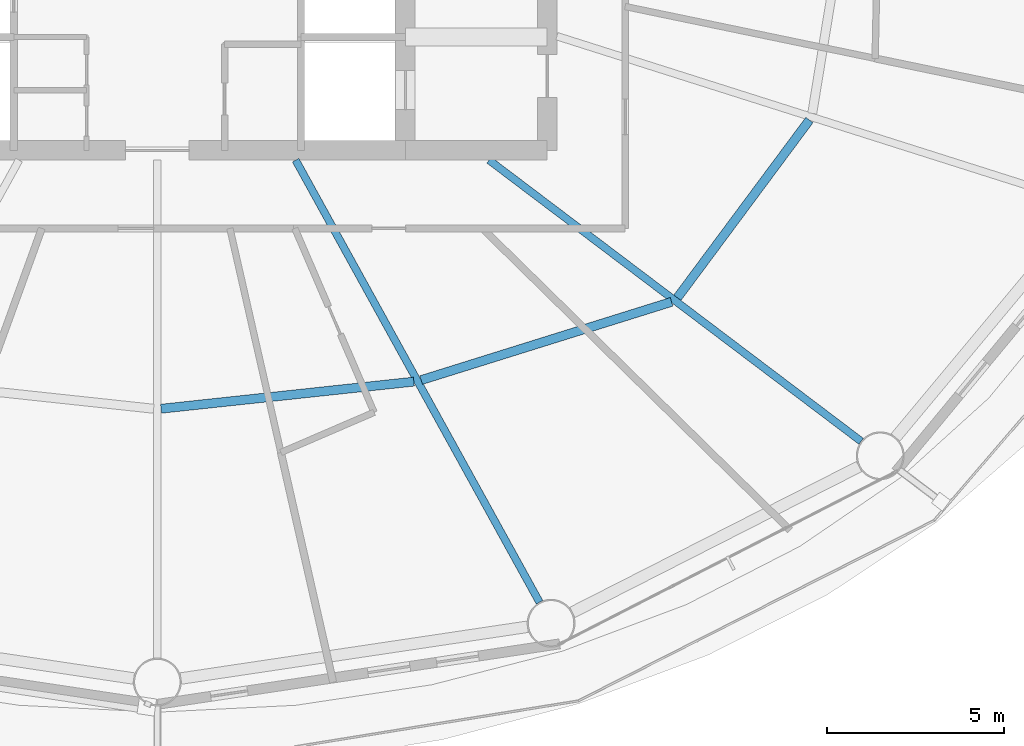
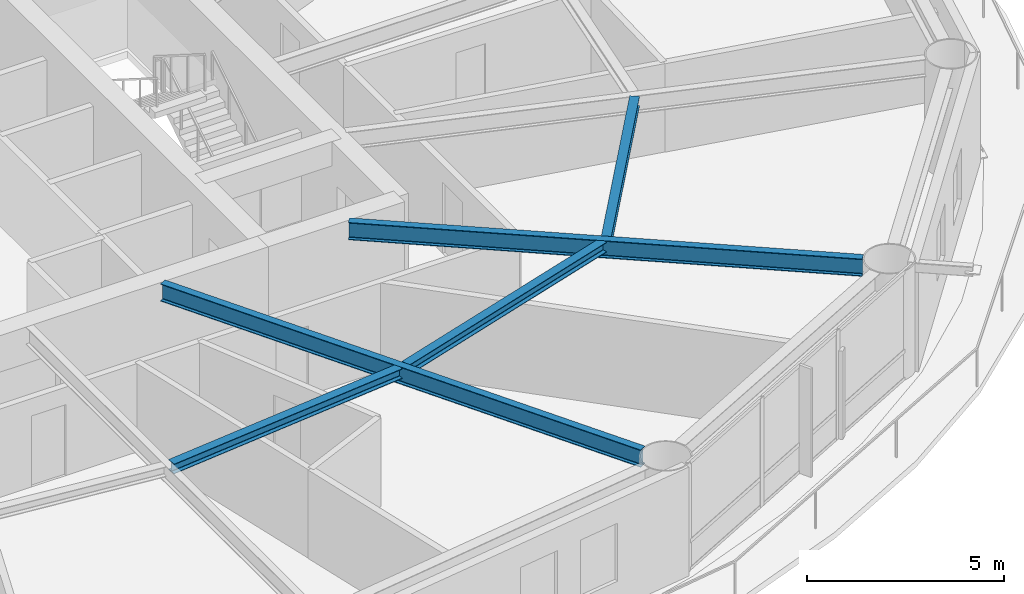
# One storey, part 5 of 24: 5 beams.
"""IFC4 building model written with IfcOpenShell, lengths in metres."""

import ifcopenshell
import ifcopenshell.guid

model = None  # the IFC model being written
_history = None  # IfcOwnerHistory: only IFC2X3 demands one
_inside = {}  # id of a spatial element -> (the spatial element, [elements in it])
_under = {}  # id of a project, library or spatial element -> (it, [spatial elements below it])
_declared = {}  # id of a project -> (the project, [libraries it declares])
_typed = {}  # id of a type object -> (the type object, [elements of that type])
_made_of = {}  # id of a material, layer set ... -> (it, [elements and type objects made of it])


def new_model(schema):
    """Start an empty IFC model of exactly this schema.

    Asked for "IFC4X3", IfcOpenShell would pick the latest addendum, in which some entities
    have other attributes; the version numbers below select the first issue.
    IFC2X3 requires an IfcOwnerHistory on every rooted entity: one is made here for all.
    """
    global model, _history
    if schema == "IFC4X3":
        model = ifcopenshell.file(schema_version=(4, 3, 0, 0))
    else:
        model = ifcopenshell.file(schema=schema)
    _inside.clear()
    _under.clear()
    _declared.clear()
    _typed.clear()
    _made_of.clear()
    _history = None
    if model.schema == "IFC2X3":
        org = make("IfcOrganization", Name="unknown")
        user = make(
            "IfcPersonAndOrganization",
            ThePerson=make("IfcPerson", FamilyName="unknown"),
            TheOrganization=org,
        )
        app = make(
            "IfcApplication",
            ApplicationDeveloper=org,
            Version="unknown",
            ApplicationFullName="unknown",
            ApplicationIdentifier="unknown",
        )
        _history = make(
            "IfcOwnerHistory",
            OwningUser=user,
            OwningApplication=app,
            ChangeAction="ADDED",
            CreationDate=0,
        )
    return model


def make(cls, **values):
    """One entity of the class cls with the attributes given. An attribute that is None is left unset."""
    return model.create_entity(
        cls, **{name: value for name, value in values.items() if value is not None}
    )


def rooted(cls, **values):
    """An entity with a GlobalId (a new one), such as an element, a storey or a relation."""
    return make(cls, GlobalId=ifcopenshell.guid.new(), OwnerHistory=_history, **values)


def si_unit(unit_type, name, prefix=None):
    """IfcSIUnit, for example si_unit("LENGTHUNIT", "METRE", prefix="MILLI")."""
    return make("IfcSIUnit", UnitType=unit_type, Prefix=prefix, Name=name)


def assignment(units):
    """IfcUnitAssignment: the units of a project."""
    return None if units is None else make("IfcUnitAssignment", Units=units)


def point(xyz):
    """IfcCartesianPoint."""
    return None if xyz is None else make("IfcCartesianPoint", Coordinates=xyz)


def direction(xyz):
    """IfcDirection."""
    return None if xyz is None else make("IfcDirection", DirectionRatios=xyz)


def frame(location, z_axis=None, x_axis=None):
    """IfcAxis2Placement3D, a coordinate frame: its origin and axes. An axis left out is left unset."""
    return make(
        "IfcAxis2Placement3D",
        Location=point(location),
        Axis=direction(z_axis),
        RefDirection=direction(x_axis),
    )


def frame_2d(location, x_axis=None):
    """IfcAxis2Placement2D, a coordinate frame in the plane: its origin and x axis."""
    return make(
        "IfcAxis2Placement2D", Location=point(location), RefDirection=direction(x_axis)
    )


def origin():
    """The frame at (0, 0, 0) with its axes left unset."""
    return frame((0.0, 0.0, 0.0))


def origin_2d():
    """The frame at (0, 0) in the plane with its x axis left unset."""
    return frame_2d((0.0, 0.0))


def place(relative_to, where):
    """IfcLocalPlacement: puts the frame where relative to a parent placement (None: the world)."""
    return make(
        "IfcLocalPlacement", PlacementRelTo=relative_to, RelativePlacement=where
    )


def context(
    kind, dimensions, precision=None, world=None, true_north=None, identifier=None
):
    """IfcGeometricRepresentationContext, for example the 3D "Model" context."""
    return make(
        "IfcGeometricRepresentationContext",
        ContextIdentifier=identifier,
        ContextType=kind,
        CoordinateSpaceDimension=dimensions,
        Precision=precision,
        WorldCoordinateSystem=world,
        TrueNorth=true_north,
    )


def subcontext(parent, identifier, kind, view, scale=None):
    """IfcGeometricRepresentationSubContext, for example "Body" below "Model"."""
    return make(
        "IfcGeometricRepresentationSubContext",
        ContextIdentifier=identifier,
        ContextType=kind,
        ParentContext=parent,
        TargetScale=scale,
        TargetView=view,
    )


def project(units=None, contexts=None):
    """IfcProject with its units and contexts."""
    return rooted(
        "IfcProject",
        Name="project",
        RepresentationContexts=contexts,
        UnitsInContext=assignment(units),
    )


def spatial(cls, under=None, at=None, **own):
    """A site, building, storey or space (cls), placed at a placement, below another one or the project."""
    s = rooted(cls, ObjectPlacement=at, **own)
    if under is not None:
        _under.setdefault(under.id(), (under, []))[1].append(s)
    return s


def profile(cls, at=None, kind="AREA", **sizes):
    """A parametric profile (cls). Its sizes go by their IFC names, for example OverallWidth=200.0."""
    return make(cls, ProfileType=kind, Position=at, **sizes)


def i_section(**sizes):
    """IfcIShapeProfileDef."""
    return profile("IfcIShapeProfileDef", **sizes)


def extrude(swept, where, along, depth):
    """IfcExtrudedAreaSolid: the profile swept, set in the frame where, extruded along a direction by depth."""
    return make(
        "IfcExtrudedAreaSolid",
        SweptArea=swept,
        Position=where,
        ExtrudedDirection=direction(along),
        Depth=depth,
    )


def shape(context_of_items, identifier, shape_type, items):
    """IfcShapeRepresentation: the items that make up one representation, for example the "Body"."""
    return make(
        "IfcShapeRepresentation",
        ContextOfItems=context_of_items,
        RepresentationIdentifier=identifier,
        RepresentationType=shape_type,
        Items=items,
    )


def material(Name=None, Category=None):
    """IfcMaterial."""
    return make("IfcMaterial", Name=Name, Category=Category)


def material_profile(
    of_material, cross_section, Name=None, Category=None, Priority=None
):
    """IfcMaterialProfile: a cross section and its material."""
    return make(
        "IfcMaterialProfile",
        Name=Name,
        Material=of_material,
        Profile=cross_section,
        Priority=Priority,
        Category=Category,
    )


def profile_set(profiles, Name=None, composite=None):
    """IfcMaterialProfileSet."""
    return make(
        "IfcMaterialProfileSet",
        Name=Name,
        MaterialProfiles=profiles,
        CompositeProfile=composite,
    )


def made_of(thing, what):
    """Note that an element or type object is made of a material, layer set ...; save() writes the relation."""
    if what is not None:
        _made_of.setdefault(what.id(), (what, []))[1].append(thing)
    return thing


def type_object(cls, material=None, **own):
    """A type object (cls), such as IfcWallType, which elements share."""
    return made_of(rooted(cls, **own), material)


def element(
    cls,
    number,
    at=None,
    inside=None,
    cuts=None,
    type_object=None,
    material=None,
    context=None,
    identifier="Body",
    shape_type=None,
    held_by="IfcProductDefinitionShape",
    body=None,
    shapes=None,
    **own,
):
    """One element of the class cls, such as IfcWall. Its Tag is "e" and its number.

    at: its placement. inside: the storey or other place that contains it. cuts: it is an
    opening in that element (IfcRelVoidsElement). A single representation is given by context,
    identifier, shape_type and body (its items); several are given by shapes. held_by: the class
    of the entity that holds the representations. save() writes the other relations.
    """
    e = rooted(cls, Tag="e%d" % number, ObjectPlacement=at, **own)
    if body is not None:
        shapes = [shape(context, identifier, shape_type, body)]
    if shapes is not None:
        e.Representation = make(held_by, Representations=shapes)
    if inside is not None:
        _inside.setdefault(inside.id(), (inside, []))[1].append(e)
    if cuts is not None:
        rooted(
            "IfcRelVoidsElement", RelatingBuildingElement=cuts, RelatedOpeningElement=e
        )
    if type_object is not None:
        _typed.setdefault(type_object.id(), (type_object, []))[1].append(e)
    return made_of(e, material)


def aggregate(whole, parts):
    """IfcRelAggregates: a whole, such as a stair, and the parts it consists of."""
    return rooted("IfcRelAggregates", RelatingObject=whole, RelatedObjects=parts)


def save(model, path):
    """Write the relations noted so far, then the file.

    IfcRelAggregates (storeys below a building ...), IfcRelContainedInSpatialStructure (elements
    in a storey), IfcRelDefinesByType, IfcRelAssociatesMaterial and IfcRelDeclares: one each for
    every whole, place, type object, material and project.
    """
    for whole, parts in _under.values():
        aggregate(whole, parts)
    for where, things in _inside.values():
        rooted(
            "IfcRelContainedInSpatialStructure",
            RelatedElements=things,
            RelatingStructure=where,
        )
    for kind, things in _typed.values():
        rooted("IfcRelDefinesByType", RelatedObjects=things, RelatingType=kind)
    for what, things in _made_of.values():
        rooted("IfcRelAssociatesMaterial", RelatedObjects=things, RelatingMaterial=what)
    for by, libraries in _declared.values():
        rooted("IfcRelDeclares", RelatingContext=by, RelatedDefinitions=libraries)
    model.write(path)


model = new_model("IFC4")

# Units and contexts
model_context = context("Model", 3, precision=1e-05, world=origin(), true_north=direction((0.0, 1.0)))
body_context = subcontext(model_context, "Body", "Model", "MODEL_VIEW")
ifc_project = project(units=[si_unit("LENGTHUNIT", "METRE"), si_unit("AREAUNIT", "SQUARE_METRE"), si_unit("VOLUMEUNIT", "CUBIC_METRE"), si_unit("PLANEANGLEUNIT", "RADIAN"), si_unit("MASSUNIT", "GRAM", prefix="KILO")], contexts=[model_context])

# Site, building, storey
site_placement = place(None, origin())
site = spatial("IfcSite", under=ifc_project, at=site_placement, CompositionType="ELEMENT")
building_placement = place(site_placement, origin())
building = spatial("IfcBuilding", under=site, at=building_placement, Name="Sarneth Arch Tower", CompositionType="ELEMENT")
storey_placement = place(building_placement, frame((0.0, 0.0, 127.199951171875)))
storey = spatial("IfcBuildingStorey", under=building, at=storey_placement, Name="L32", CompositionType="ELEMENT", Elevation=127.199951171875)

# Beams
ifc_material_1 = material(Name="Steel S355", Category="steel")
ifc_material_profile_1 = material_profile(ifc_material_1, i_section(OverallWidth=0.25390625, OverallDepth=0.305908203125, WebThickness=0.0087890625, FlangeThickness=0.0146484375, FilletRadius=0.014892578125, at=origin_2d()), Name="W310x79")
ifc_profile_set_1 = profile_set([ifc_material_profile_1], Name="Steel S355")
beam_type_1 = type_object("IfcBeamType", Name="BM-JOIST-310A", PredefinedType="JOIST", material=ifc_profile_set_1)
beam_1_placement = place(storey_placement, frame((48.10498046875, 27.9111328125, 3.22705078125), z_axis=(0.99429330851, 0.106680910441, 0.0), x_axis=(-0.106680910441, 0.99429330851, 0.0)))
element("IfcBeam", 1, at=beam_1_placement, inside=storey, type_object=beam_type_1, Name="L32 Secondary floor joist 13", PredefinedType="JOIST", context=body_context, shape_type="SweptSolid", body=[
    extrude(i_section(OverallWidth=0.25390625, OverallDepth=0.305908203125, WebThickness=0.0087890625, FlangeThickness=0.0146484375, FilletRadius=0.014892578125, at=origin_2d()), origin(), (0.0, 0.0, 1.0), 7.174560546875),
])
beam_2_placement = place(storey_placement, frame((55.4443359375, 28.71923828125, 3.22705078125), z_axis=(0.9544870201, 0.298252457594, 0.0), x_axis=(-0.298252457594, 0.9544870201, 0.0)))
element("IfcBeam", 2, at=beam_2_placement, inside=storey, type_object=beam_type_1, Name="L32 Secondary floor joist 14", PredefinedType="JOIST", context=body_context, shape_type="SweptSolid", body=[
    extrude(i_section(OverallWidth=0.25390625, OverallDepth=0.305908203125, WebThickness=0.0087890625, FlangeThickness=0.0146484375, FilletRadius=0.014892578125, at=origin_2d()), origin(), (0.0, 0.0, 1.0), 7.40234375),
])
beam_3_placement = place(storey_placement, frame((62.67333984375, 31.043212890625, 3.22705078125), z_axis=(0.596354224217, 0.80272139579, 0.0), x_axis=(-0.80272139579, 0.596354224217, 0.0)))
element("IfcBeam", 3, at=beam_3_placement, inside=storey, type_object=beam_type_1, Name="L32 Secondary floor joist 15", PredefinedType="JOIST", context=body_context, shape_type="SweptSolid", body=[
    extrude(i_section(OverallWidth=0.25390625, OverallDepth=0.305908203125, WebThickness=0.0087890625, FlangeThickness=0.0146484375, FilletRadius=0.014892578125, at=origin_2d()), origin(), (0.0, 0.0, 1.0), 6.246337890625),
])
ifc_material_2 = material(Name="Steel S355", Category="steel")
ifc_material_profile_2 = material_profile(ifc_material_2, i_section(OverallWidth=0.2109375, OverallDepth=0.5390625, WebThickness=0.01171875, FlangeThickness=0.018798828125, FilletRadius=0.01806640625, at=origin_2d()), Name="W530x109")
ifc_profile_set_2 = profile_set([ifc_material_profile_2], Name="Steel S355")
beam_type_2 = type_object("IfcBeamType", Name="BM-RAD-530B", PredefinedType="BEAM", material=ifc_profile_set_2)
beam_4_placement = place(storey_placement, frame((51.90283203125, 34.925048828125, 3.110595703125), z_axis=(0.48301301286, -0.875613173387, 0.0), x_axis=(0.875613173387, 0.48301301286, 0.0)))
element("IfcBeam", 4, at=beam_4_placement, inside=storey, type_object=beam_type_2, Name="L32 Radial floor girder 14", PredefinedType="BEAM", context=body_context, shape_type="SweptSolid", body=[
    extrude(i_section(OverallWidth=0.2109375, OverallDepth=0.5390625, WebThickness=0.01171875, FlangeThickness=0.018798828125, FilletRadius=0.01806640625, at=origin_2d()), origin(), (0.0, 0.0, 1.0), 14.246826171875),
])
beam_5_placement = place(storey_placement, frame((57.36181640625, 34.925048828125, 3.110595703125), z_axis=(0.797801476102, -0.602920230818, 0.0), x_axis=(0.602920230818, 0.797801476102, 0.0)))
element("IfcBeam", 5, at=beam_5_placement, inside=storey, type_object=beam_type_2, Name="L32 Radial floor girder 15", PredefinedType="BEAM", context=body_context, shape_type="SweptSolid", body=[
    extrude(i_section(OverallWidth=0.2109375, OverallDepth=0.5390625, WebThickness=0.01171875, FlangeThickness=0.018798828125, FilletRadius=0.01806640625, at=origin_2d()), origin(), (0.0, 0.0, 1.0), 13.15771484375),
])

save(model, "model.ifc")
